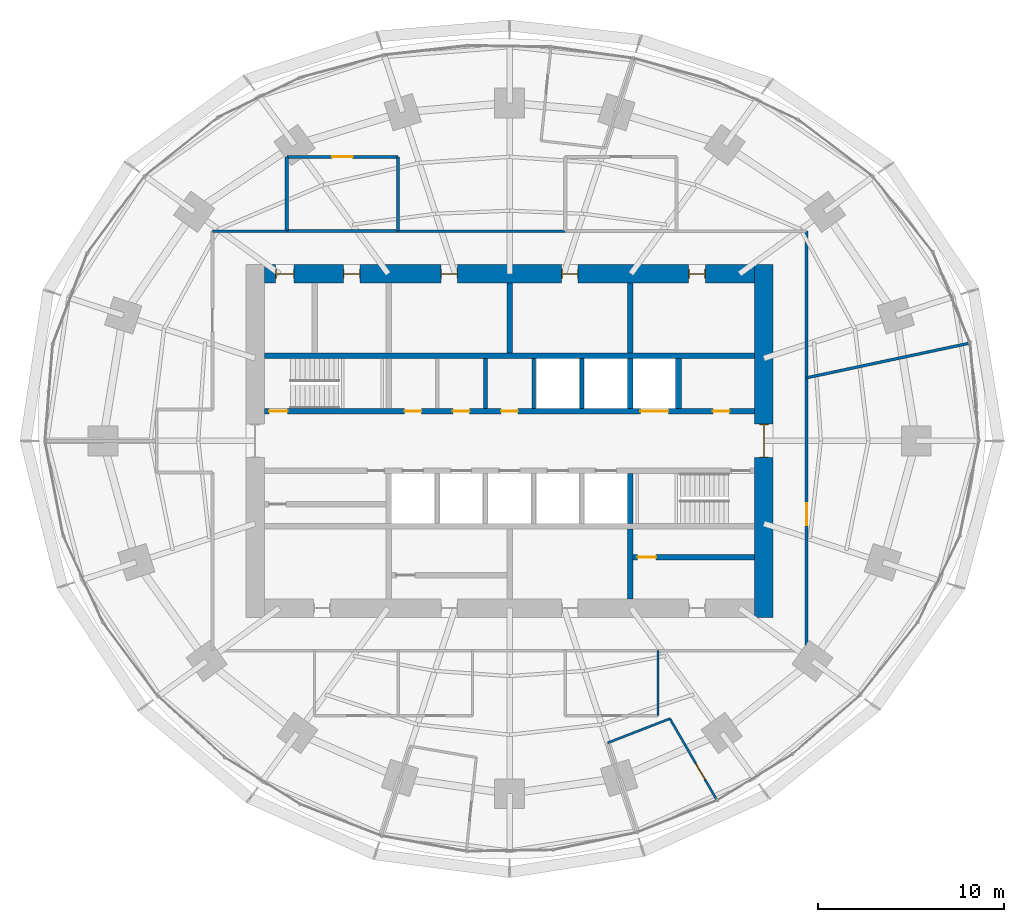
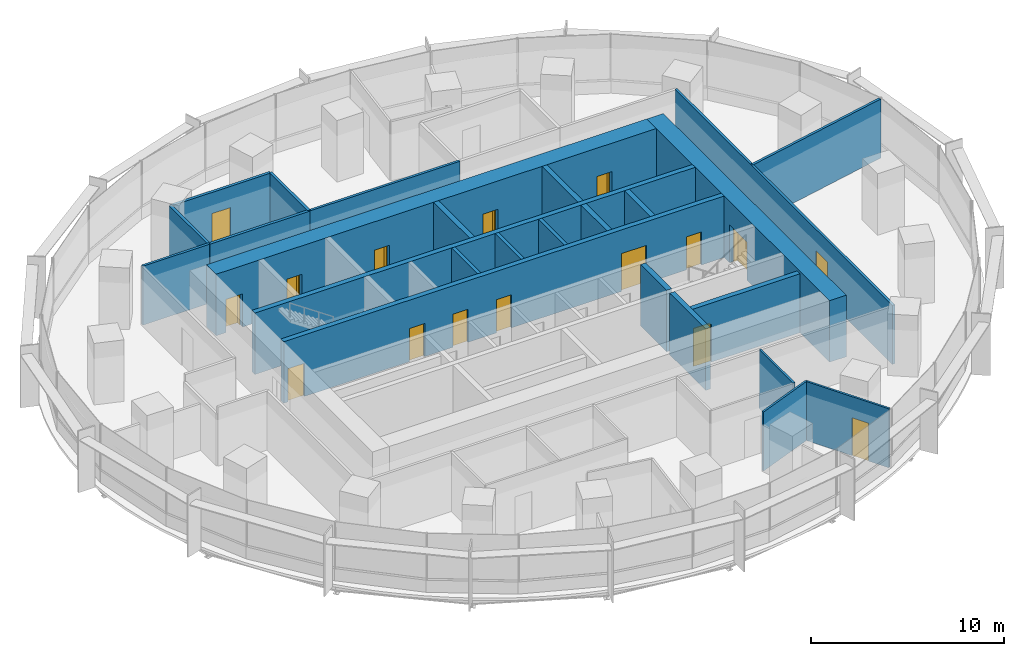
# One storey, part 11 of 14: 25 walls, 16 doors, 16 openings.
"""IFC4 building model written with IfcOpenShell, lengths in metres."""

from ifc_helpers import new_model, si_unit, direction, frame, frame_2d, origin, place, context, subcontext, project, spatial, rectangle, extrude, material, layer, layer_set, type_object, element, fill, save


model = new_model("IFC4")

# Units and contexts
model_context = context("Model", 3, precision=1e-05, world=origin(), true_north=direction((0.0, 1.0)))
body_context = subcontext(model_context, "Body", "Model", "MODEL_VIEW")
ifc_project = project(units=[si_unit("LENGTHUNIT", "METRE"), si_unit("AREAUNIT", "SQUARE_METRE"), si_unit("VOLUMEUNIT", "CUBIC_METRE"), si_unit("PLANEANGLEUNIT", "RADIAN"), si_unit("MASSUNIT", "GRAM", prefix="KILO")], contexts=[model_context])

# Site, building, storey
site_placement = place(None, origin())
site = spatial("IfcSite", under=ifc_project, at=site_placement, CompositionType="ELEMENT")
building_placement = place(site_placement, origin())
building = spatial("IfcBuilding", under=site, at=building_placement, Name="Marramba Exchange Tower", CompositionType="ELEMENT")
storey_placement = place(building_placement, frame((0.0, 0.0, 108.0)))
storey = spatial("IfcBuildingStorey", under=building, at=storey_placement, Name="L25", CompositionType="ELEMENT", Elevation=108.0)

# Wall
ifc_material_1 = material(Name="Plasterboard on staggered double steel studs, acoustic insulation", Category="steel")
ifc_layer_1 = layer(ifc_material_1, 0.169921875)
ifc_layer_set_1 = layer_set([ifc_layer_1], Name="Acoustic partition 170")
wall_type_1 = type_object("IfcWallType", Name="Acoustic partition 170", PredefinedType="PARTITIONING", material=ifc_layer_set_1)
wall_1_placement = place(storey_placement, frame((-6.0, 11.300048828125, 0.0), z_axis=(0.0, 0.0, 1.0), x_axis=(0.0, 1.0, 0.0)))
element("IfcWall", 1, at=wall_1_placement, inside=storey, type_object=wall_type_1, Name="Acoustic partition L25 28", PredefinedType="PARTITIONING", context=body_context, shape_type="SweptSolid", body=[
    extrude(rectangle(XDim=4.0, YDim=0.169921875, at=frame_2d((2.0, 0.0))), origin(), (0.0, 0.0, 1.0), 3.739990234375),
])

# Wall, opening, door
wall_2_placement = place(storey_placement, frame((-6.0, 15.300048828125, 0.0), z_axis=(0.0, 0.0, 1.0), x_axis=(-1.0, 0.0, 0.0)))
wall_2 = element("IfcWall", 2, at=wall_2_placement, inside=storey, type_object=wall_type_1, Name="Acoustic partition L25 29", PredefinedType="PARTITIONING", context=body_context, shape_type="SweptSolid", body=[
    extrude(rectangle(XDim=6.0, YDim=0.169921875, at=frame_2d((3.0, 0.0))), origin(), (0.0, 0.0, 1.0), 3.739990234375),
])
opening_1_placement = place(wall_2_placement, frame((2.449951171875, 0.0, 0.0)))
opening_1 = element("IfcOpeningElement", 3, at=opening_1_placement, cuts=wall_2, Name="Opening D15", PredefinedType="OPENING", context=body_context, shape_type="SweptSolid", body=[
    extrude(rectangle(XDim=1.10009765625, YDim=2.39990234375, at=frame_2d((0.550048828125, 1.199951171875))), frame((0.0, 0.094970703125, 0.0), z_axis=(0.0, -1.0, 0.0), x_axis=(1.0, 0.0, 0.0)), (0.0, 0.0, 1.0), 0.18994140625),
])
ifc_material_2 = material(Name="Timber door", Category="wood")
door_type_1 = type_object("IfcDoorType", Name="Glazed meeting room door 1100x2400", OperationType="SINGLE_SWING_LEFT", PredefinedType="DOOR", material=ifc_material_2)
door_1_placement = place(opening_1_placement, origin())
door_1 = element("IfcDoor", 4, at=door_1_placement, inside=storey, type_object=door_type_1, Name="D15 Meeting Room 2 L25", OperationType="SINGLE_SWING_RIGHT", OverallHeight=2.39990234375, OverallWidth=1.10009765625, PredefinedType="DOOR", context=body_context, shape_type="SweptSolid", body=[
    extrude(rectangle(XDim=1.10009765625, YDim=2.39990234375, at=frame_2d((0.550048828125, 1.199951171875))), frame((0.0, 0.02490234375, 0.0), z_axis=(0.0, -1.0, 0.0), x_axis=(1.0, 0.0, 0.0)), (0.0, 0.0, 1.0), 0.050048828125),
])
fill(opening_1, door_1)

# Walls
wall_3_placement = place(storey_placement, frame((-12.0, 11.300048828125, 0.0), z_axis=(0.0, 0.0, 1.0), x_axis=(1.0, 0.0, 0.0)))
element("IfcWall", 5, at=wall_3_placement, inside=storey, type_object=wall_type_1, Name="Acoustic partition L25 30", PredefinedType="PARTITIONING", context=body_context, shape_type="SweptSolid", body=[
    extrude(rectangle(XDim=6.0, YDim=0.169921875, at=frame_2d((3.0, 0.0))), origin(), (0.0, 0.0, 1.0), 3.739990234375),
])
wall_4_placement = place(storey_placement, frame((-12.0, 15.300048828125, 0.0), z_axis=(0.0, 0.0, 1.0), x_axis=(0.0, -1.0, 0.0)))
element("IfcWall", 6, at=wall_4_placement, inside=storey, type_object=wall_type_1, Name="Acoustic partition L25 31", PredefinedType="PARTITIONING", context=body_context, shape_type="SweptSolid", body=[
    extrude(rectangle(XDim=4.0, YDim=0.169921875, at=frame_2d((2.0, 0.0))), origin(), (0.0, 0.0, 1.0), 3.739990234375),
])
ifc_material_3 = material(Name="Concrete N50", Category="concrete")
ifc_layer_2 = layer(ifc_material_3, 0.199951171875)
ifc_layer_set_2 = layer_set([ifc_layer_2], Name="Core shaft wall 200")
wall_type_2 = type_object("IfcWallType", Name="Core shaft wall 200", PredefinedType="SHEAR", material=ifc_layer_set_2)
for number, where, z_axis, x_axis, name in (
    (7, (-1.300048828125, 1.75, 0.0), (0.0, 0.0, 1.0), (0.0, 1.0, 0.0), "Core wall SHN2 L25"),
    (8, (1.300048828125, 1.75, 0.0), (0.0, 0.0, 1.0), (0.0, 1.0, 0.0), "Core wall SHN3 L25"),
    (9, (3.89990234375, 1.75, 0.0), (0.0, 0.0, 1.0), (0.0, 1.0, 0.0), "Core wall SHN4 L25"),
):
    element("IfcWall", number, at=place(storey_placement, frame(where, z_axis=z_axis, x_axis=x_axis)), inside=storey, type_object=wall_type_2, Name=name, PredefinedType="SHEAR", context=body_context, shape_type="SweptSolid", body=[
        extrude(rectangle(XDim=2.699951171875, YDim=0.199951171875, at=frame_2d((1.35009765625, 0.0))), origin(), (0.0, 0.0, 1.0), 3.89990234375),
    ])

# Wall, openings, doors
ifc_layer_3 = layer(ifc_material_3, 1.0)
ifc_layer_set_3 = layer_set([ifc_layer_3], Name="Core wall 1000")
wall_type_3 = type_object("IfcWallType", Name="Core wall 1000", PredefinedType="SHEAR", material=ifc_layer_set_3)
wall_5_placement = place(storey_placement, frame((13.199951171875, 9.0, 0.0), z_axis=(0.0, 0.0, 1.0), x_axis=(-1.0, 0.0, 0.0)))
wall_5 = element("IfcWall", 10, at=wall_5_placement, inside=storey, type_object=wall_type_3, Name="Core wall N L25", PredefinedType="SHEAR", context=body_context, shape_type="SweptSolid", body=[
    extrude(rectangle(XDim=26.39990234375, YDim=1.0, at=frame_2d((13.199951171875, 0.0))), origin(), (0.0, 0.0, 1.0), 3.89990234375),
])
opening_2_placement = place(wall_5_placement, frame((2.64990234375, 0.0, 0.0)))
opening_2 = element("IfcOpeningElement", 11, at=opening_2_placement, cuts=wall_5, Name="Opening D5", PredefinedType="OPENING", context=body_context, shape_type="SweptSolid", body=[
    extrude(rectangle(XDim=0.89990234375, YDim=2.10009765625, at=frame_2d((0.449951171875, 1.050048828125))), frame((0.0, 0.510009765625, 0.0), z_axis=(0.0, -1.0, 0.0), x_axis=(1.0, 0.0, 0.0)), (0.0, 0.0, 1.0), 1.02001953125),
])
opening_3_placement = place(wall_5_placement, frame((9.5, 0.0, 0.0)))
opening_3 = element("IfcOpeningElement", 12, at=opening_3_placement, cuts=wall_5, Name="Opening D3", PredefinedType="OPENING", context=body_context, shape_type="SweptSolid", body=[
    extrude(rectangle(XDim=0.89990234375, YDim=2.10009765625, at=frame_2d((0.449951171875, 1.050048828125))), frame((0.0, 0.510009765625, 0.0), z_axis=(0.0, -1.0, 0.0), x_axis=(1.0, 0.0, 0.0)), (0.0, 0.0, 1.0), 1.02001953125),
])
opening_4_placement = place(wall_5_placement, frame((16.0, 0.0, 0.0)))
opening_4 = element("IfcOpeningElement", 13, at=opening_4_placement, cuts=wall_5, Name="Opening D3", PredefinedType="OPENING", context=body_context, shape_type="SweptSolid", body=[
    extrude(rectangle(XDim=0.89990234375, YDim=2.10009765625, at=frame_2d((0.449951171875, 1.050048828125))), frame((0.0, 0.510009765625, 0.0), z_axis=(0.0, -1.0, 0.0), x_axis=(1.0, 0.0, 0.0)), (0.0, 0.0, 1.0), 1.02001953125),
])
opening_5_placement = place(wall_5_placement, frame((21.25, 0.0, 0.0)))
opening_5 = element("IfcOpeningElement", 14, at=opening_5_placement, cuts=wall_5, Name="Opening D5", PredefinedType="OPENING", context=body_context, shape_type="SweptSolid", body=[
    extrude(rectangle(XDim=0.89990234375, YDim=2.10009765625, at=frame_2d((0.449951171875, 1.050048828125))), frame((0.0, 0.510009765625, 0.0), z_axis=(0.0, -1.0, 0.0), x_axis=(1.0, 0.0, 0.0)), (0.0, 0.0, 1.0), 1.02001953125),
])
opening_6_placement = place(wall_5_placement, frame((24.800048828125, 0.0, 0.0)))
opening_6 = element("IfcOpeningElement", 15, at=opening_6_placement, cuts=wall_5, Name="Opening D4", PredefinedType="OPENING", context=body_context, shape_type="SweptSolid", body=[
    extrude(rectangle(XDim=1.0, YDim=2.10009765625, at=frame_2d((0.5, 1.050048828125))), frame((0.0, 0.510009765625, 0.0), z_axis=(0.0, -1.0, 0.0), x_axis=(1.0, 0.0, 0.0)), (0.0, 0.0, 1.0), 1.02001953125),
])
ifc_material_4 = material(Name="Steel-framed door", Category="steel")
door_type_2 = type_object("IfcDoorType", Name="Accessible toilet door 1000x2100", OperationType="SINGLE_SWING_LEFT", PredefinedType="DOOR", material=ifc_material_4)
door_2_placement = place(opening_6_placement, origin())
door_2 = element("IfcDoor", 16, at=door_2_placement, inside=storey, type_object=door_type_2, Name="D4 awc L25", OperationType="SINGLE_SWING_RIGHT", OverallHeight=2.10009765625, OverallWidth=1.0, PredefinedType="DOOR", context=body_context, shape_type="SweptSolid", body=[
    extrude(rectangle(XDim=0.919921875, YDim=2.06005859375, at=frame_2d((0.5, 1.030029296875))), frame((0.0, 0.02490234375, 0.0), z_axis=(0.0, -1.0, 0.0), x_axis=(1.0, 0.0, 0.0)), (0.0, 0.0, 1.0), 0.050048828125),
    extrude(rectangle(XDim=0.04, YDim=2.10009765625, at=frame_2d((0.02001953125, 1.050048828125))), frame((0.0, 0.25, 0.0), z_axis=(0.0, -1.0, 0.0), x_axis=(1.0, 0.0, 0.0)), (0.0, 0.0, 1.0), 0.5),
    extrude(rectangle(XDim=0.04, YDim=2.10009765625, at=frame_2d((0.97998046875, 1.050048828125))), frame((0.0, 0.25, 0.0), z_axis=(0.0, -1.0, 0.0), x_axis=(1.0, 0.0, 0.0)), (0.0, 0.0, 1.0), 0.5),
    extrude(rectangle(XDim=0.919921875, YDim=0.04, at=frame_2d((0.5, 2.080078125))), frame((0.0, 0.25, 0.0), z_axis=(0.0, -1.0, 0.0), x_axis=(1.0, 0.0, 0.0)), (0.0, 0.0, 1.0), 0.5),
])
fill(opening_6, door_2)
door_type_3 = type_object("IfcDoorType", Name="Service door 900x2100", OperationType="SINGLE_SWING_LEFT", PredefinedType="DOOR", material=ifc_material_4)
door_3_placement = place(opening_2_placement, origin())
door_3 = element("IfcDoor", 17, at=door_3_placement, inside=storey, type_object=door_type_3, Name="D5 comms L25", OperationType="SINGLE_SWING_LEFT", OverallHeight=2.10009765625, OverallWidth=0.89990234375, PredefinedType="DOOR", context=body_context, shape_type="SweptSolid", body=[
    extrude(rectangle(XDim=0.81982421875, YDim=2.06005859375, at=frame_2d((0.449951171875, 1.030029296875))), frame((0.0, 0.02490234375, 0.0), z_axis=(0.0, -1.0, 0.0), x_axis=(1.0, 0.0, 0.0)), (0.0, 0.0, 1.0), 0.050048828125),
    extrude(rectangle(XDim=0.04, YDim=2.10009765625, at=frame_2d((0.02001953125, 1.050048828125))), frame((0.0, 0.25, 0.0), z_axis=(0.0, -1.0, 0.0), x_axis=(1.0, 0.0, 0.0)), (0.0, 0.0, 1.0), 0.5),
    extrude(rectangle(XDim=0.04, YDim=2.10009765625, at=frame_2d((0.8798828125, 1.050048828125))), frame((0.0, 0.25, 0.0), z_axis=(0.0, -1.0, 0.0), x_axis=(1.0, 0.0, 0.0)), (0.0, 0.0, 1.0), 0.5),
    extrude(rectangle(XDim=0.81982421875, YDim=0.04, at=frame_2d((0.449951171875, 2.080078125))), frame((0.0, 0.25, 0.0), z_axis=(0.0, -1.0, 0.0), x_axis=(1.0, 0.0, 0.0)), (0.0, 0.0, 1.0), 0.5),
])
fill(opening_2, door_3)
door_4_placement = place(opening_5_placement, origin())
door_4 = element("IfcDoor", 18, at=door_4_placement, inside=storey, type_object=door_type_3, Name="D5 cleaner L25", OperationType="SINGLE_SWING_RIGHT", OverallHeight=2.10009765625, OverallWidth=0.89990234375, PredefinedType="DOOR", context=body_context, shape_type="SweptSolid", body=[
    extrude(rectangle(XDim=0.81982421875, YDim=2.06005859375, at=frame_2d((0.449951171875, 1.030029296875))), frame((0.0, 0.02490234375, 0.0), z_axis=(0.0, -1.0, 0.0), x_axis=(1.0, 0.0, 0.0)), (0.0, 0.0, 1.0), 0.050048828125),
    extrude(rectangle(XDim=0.04, YDim=2.10009765625, at=frame_2d((0.02001953125, 1.050048828125))), frame((0.0, 0.25, 0.0), z_axis=(0.0, -1.0, 0.0), x_axis=(1.0, 0.0, 0.0)), (0.0, 0.0, 1.0), 0.5),
    extrude(rectangle(XDim=0.04, YDim=2.10009765625, at=frame_2d((0.8798828125, 1.050048828125))), frame((0.0, 0.25, 0.0), z_axis=(0.0, -1.0, 0.0), x_axis=(1.0, 0.0, 0.0)), (0.0, 0.0, 1.0), 0.5),
    extrude(rectangle(XDim=0.81982421875, YDim=0.04, at=frame_2d((0.449951171875, 2.080078125))), frame((0.0, 0.25, 0.0), z_axis=(0.0, -1.0, 0.0), x_axis=(1.0, 0.0, 0.0)), (0.0, 0.0, 1.0), 0.5),
])
fill(opening_5, door_4)
door_type_4 = type_object("IfcDoorType", Name="Toilet door 900x2100", OperationType="SINGLE_SWING_LEFT", PredefinedType="DOOR", material=ifc_material_4)
door_5_placement = place(opening_3_placement, origin())
door_5 = element("IfcDoor", 19, at=door_5_placement, inside=storey, type_object=door_type_4, Name="D3 wc-f L25", OperationType="SINGLE_SWING_RIGHT", OverallHeight=2.10009765625, OverallWidth=0.89990234375, PredefinedType="DOOR", context=body_context, shape_type="SweptSolid", body=[
    extrude(rectangle(XDim=0.81982421875, YDim=2.06005859375, at=frame_2d((0.449951171875, 1.030029296875))), frame((0.0, 0.02490234375, 0.0), z_axis=(0.0, -1.0, 0.0), x_axis=(1.0, 0.0, 0.0)), (0.0, 0.0, 1.0), 0.050048828125),
    extrude(rectangle(XDim=0.04, YDim=2.10009765625, at=frame_2d((0.02001953125, 1.050048828125))), frame((0.0, 0.25, 0.0), z_axis=(0.0, -1.0, 0.0), x_axis=(1.0, 0.0, 0.0)), (0.0, 0.0, 1.0), 0.5),
    extrude(rectangle(XDim=0.04, YDim=2.10009765625, at=frame_2d((0.8798828125, 1.050048828125))), frame((0.0, 0.25, 0.0), z_axis=(0.0, -1.0, 0.0), x_axis=(1.0, 0.0, 0.0)), (0.0, 0.0, 1.0), 0.5),
    extrude(rectangle(XDim=0.81982421875, YDim=0.04, at=frame_2d((0.449951171875, 2.080078125))), frame((0.0, 0.25, 0.0), z_axis=(0.0, -1.0, 0.0), x_axis=(1.0, 0.0, 0.0)), (0.0, 0.0, 1.0), 0.5),
])
fill(opening_3, door_5)
door_6_placement = place(opening_4_placement, origin())
door_6 = element("IfcDoor", 20, at=door_6_placement, inside=storey, type_object=door_type_4, Name="D3 wc-m L25", OperationType="SINGLE_SWING_RIGHT", OverallHeight=2.10009765625, OverallWidth=0.89990234375, PredefinedType="DOOR", context=body_context, shape_type="SweptSolid", body=[
    extrude(rectangle(XDim=0.81982421875, YDim=2.06005859375, at=frame_2d((0.449951171875, 1.030029296875))), frame((0.0, 0.02490234375, 0.0), z_axis=(0.0, -1.0, 0.0), x_axis=(1.0, 0.0, 0.0)), (0.0, 0.0, 1.0), 0.050048828125),
    extrude(rectangle(XDim=0.04, YDim=2.10009765625, at=frame_2d((0.02001953125, 1.050048828125))), frame((0.0, 0.25, 0.0), z_axis=(0.0, -1.0, 0.0), x_axis=(1.0, 0.0, 0.0)), (0.0, 0.0, 1.0), 0.5),
    extrude(rectangle(XDim=0.04, YDim=2.10009765625, at=frame_2d((0.8798828125, 1.050048828125))), frame((0.0, 0.25, 0.0), z_axis=(0.0, -1.0, 0.0), x_axis=(1.0, 0.0, 0.0)), (0.0, 0.0, 1.0), 0.5),
    extrude(rectangle(XDim=0.81982421875, YDim=0.04, at=frame_2d((0.449951171875, 2.080078125))), frame((0.0, 0.25, 0.0), z_axis=(0.0, -1.0, 0.0), x_axis=(1.0, 0.0, 0.0)), (0.0, 0.0, 1.0), 0.5),
])
fill(opening_4, door_6)

# Wall, opening, door
wall_6_placement = place(storey_placement, frame((13.699951171875, -9.5, 0.0), z_axis=(0.0, 0.0, 1.0), x_axis=(0.0, 1.0, 0.0)))
wall_6 = element("IfcWall", 21, at=wall_6_placement, inside=storey, type_object=wall_type_3, Name="Core wall E L25", PredefinedType="SHEAR", context=body_context, shape_type="SweptSolid", body=[
    extrude(rectangle(XDim=19.0, YDim=1.0, at=frame_2d((9.5, 0.0))), origin(), (0.0, 0.0, 1.0), 3.89990234375),
])
opening_7_placement = place(wall_6_placement, frame((8.60009765625, 0.0, 0.0)))
opening_7 = element("IfcOpeningElement", 22, at=opening_7_placement, cuts=wall_6, Name="Opening D1", PredefinedType="OPENING", context=body_context, shape_type="SweptSolid", body=[
    extrude(rectangle(XDim=1.800048828125, YDim=2.39990234375, at=frame_2d((0.89990234375, 1.199951171875))), frame((0.0, 0.510009765625, 0.0), z_axis=(0.0, -1.0, 0.0), x_axis=(1.0, 0.0, 0.0)), (0.0, 0.0, 1.0), 1.02001953125),
])
door_type_5 = type_object("IfcDoorType", Name="Lobby exit door 1800x2400", OperationType="DOUBLE_DOOR_SINGLE_SWING", PredefinedType="DOOR", material=ifc_material_4)
door_7_placement = place(opening_7_placement, origin())
door_7 = element("IfcDoor", 23, at=door_7_placement, inside=storey, type_object=door_type_5, Name="D1 lobby exit east L25", OperationType="DOUBLE_DOOR_SINGLE_SWING", OverallHeight=2.39990234375, OverallWidth=1.800048828125, PredefinedType="DOOR", context=body_context, shape_type="SweptSolid", body=[
    extrude(rectangle(XDim=1.719970703125, YDim=2.35986328125, at=frame_2d((0.89990234375, 1.179931640625))), frame((0.0, 0.02490234375, 0.0), z_axis=(0.0, -1.0, 0.0), x_axis=(1.0, 0.0, 0.0)), (0.0, 0.0, 1.0), 0.050048828125),
    extrude(rectangle(XDim=0.04, YDim=2.39990234375, at=frame_2d((0.02001953125, 1.199951171875))), frame((0.0, 0.25, 0.0), z_axis=(0.0, -1.0, 0.0), x_axis=(1.0, 0.0, 0.0)), (0.0, 0.0, 1.0), 0.5),
    extrude(rectangle(XDim=0.04, YDim=2.39990234375, at=frame_2d((1.780029296875, 1.199951171875))), frame((0.0, 0.25, 0.0), z_axis=(0.0, -1.0, 0.0), x_axis=(1.0, 0.0, 0.0)), (0.0, 0.0, 1.0), 0.5),
    extrude(rectangle(XDim=1.719970703125, YDim=0.04, at=frame_2d((0.89990234375, 2.3798828125))), frame((0.0, 0.25, 0.0), z_axis=(0.0, -1.0, 0.0), x_axis=(1.0, 0.0, 0.0)), (0.0, 0.0, 1.0), 0.5),
])
fill(opening_7, door_7)

# Wall, openings, doors
ifc_layer_4 = layer(ifc_material_3, 0.300048828125)
ifc_layer_set_4 = layer_set([ifc_layer_4], Name="Core wall 300")
wall_type_4 = type_object("IfcWallType", Name="Core wall 300", PredefinedType="SHEAR", material=ifc_layer_set_4)
wall_7_placement = place(storey_placement, frame((-13.199951171875, 1.60009765625, 0.0), z_axis=(0.0, 0.0, 1.0), x_axis=(1.0, 0.0, 0.0)))
wall_7 = element("IfcWall", 24, at=wall_7_placement, inside=storey, type_object=wall_type_4, Name="Core wall LN L25", PredefinedType="SHEAR", context=body_context, shape_type="SweptSolid", body=[
    extrude(rectangle(XDim=26.39990234375, YDim=0.300048828125, at=frame_2d((13.199951171875, 0.0))), origin(), (0.0, 0.0, 1.0), 3.89990234375),
])
opening_8_placement = place(wall_7_placement, frame((0.25, 0.0, 0.0)))
opening_8 = element("IfcOpeningElement", 25, at=opening_8_placement, cuts=wall_7, Name="Opening D2", PredefinedType="OPENING", context=body_context, shape_type="SweptSolid", body=[
    extrude(rectangle(XDim=1.0, YDim=2.10009765625, at=frame_2d((0.5, 1.050048828125))), frame((0.0, 0.159912109375, 0.0), z_axis=(0.0, -1.0, 0.0), x_axis=(1.0, 0.0, 0.0)), (0.0, 0.0, 1.0), 0.320068359375),
])
opening_9_placement = place(wall_7_placement, frame((20.25, 0.0, 0.0)))
opening_9 = element("IfcOpeningElement", 26, at=opening_9_placement, cuts=wall_7, Name="Opening LD3", PredefinedType="OPENING", context=body_context, shape_type="SweptSolid", body=[
    extrude(rectangle(XDim=1.5, YDim=2.39990234375, at=frame_2d((0.75, 1.199951171875))), frame((0.0, 0.159912109375, 0.0), z_axis=(0.0, -1.0, 0.0), x_axis=(1.0, 0.0, 0.0)), (0.0, 0.0, 1.0), 0.320068359375),
])
opening_10_placement = place(wall_7_placement, frame((7.550048828125, 0.0, 0.0)))
opening_10 = element("IfcOpeningElement", 27, at=opening_10_placement, cuts=wall_7, Name="Opening D5", PredefinedType="OPENING", context=body_context, shape_type="SweptSolid", body=[
    extrude(rectangle(XDim=0.89990234375, YDim=2.10009765625, at=frame_2d((0.449951171875, 1.050048828125))), frame((0.0, 0.159912109375, 0.0), z_axis=(0.0, -1.0, 0.0), x_axis=(1.0, 0.0, 0.0)), (0.0, 0.0, 1.0), 0.320068359375),
])
opening_11_placement = place(wall_7_placement, frame((10.14990234375, 0.0, 0.0)))
opening_11 = element("IfcOpeningElement", 28, at=opening_11_placement, cuts=wall_7, Name="Opening D5", PredefinedType="OPENING", context=body_context, shape_type="SweptSolid", body=[
    extrude(rectangle(XDim=0.89990234375, YDim=2.10009765625, at=frame_2d((0.449951171875, 1.050048828125))), frame((0.0, 0.159912109375, 0.0), z_axis=(0.0, -1.0, 0.0), x_axis=(1.0, 0.0, 0.0)), (0.0, 0.0, 1.0), 0.320068359375),
])
opening_12_placement = place(wall_7_placement, frame((12.75, 0.0, 0.0)))
opening_12 = element("IfcOpeningElement", 29, at=opening_12_placement, cuts=wall_7, Name="Opening D5", PredefinedType="OPENING", context=body_context, shape_type="SweptSolid", body=[
    extrude(rectangle(XDim=0.89990234375, YDim=2.10009765625, at=frame_2d((0.449951171875, 1.050048828125))), frame((0.0, 0.159912109375, 0.0), z_axis=(0.0, -1.0, 0.0), x_axis=(1.0, 0.0, 0.0)), (0.0, 0.0, 1.0), 0.320068359375),
])
opening_13_placement = place(wall_7_placement, frame((24.14990234375, 0.0, 0.0)))
opening_13 = element("IfcOpeningElement", 30, at=opening_13_placement, cuts=wall_7, Name="Opening D5", PredefinedType="OPENING", context=body_context, shape_type="SweptSolid", body=[
    extrude(rectangle(XDim=0.89990234375, YDim=2.10009765625, at=frame_2d((0.449951171875, 1.050048828125))), frame((0.0, 0.159912109375, 0.0), z_axis=(0.0, -1.0, 0.0), x_axis=(1.0, 0.0, 0.0)), (0.0, 0.0, 1.0), 0.320068359375),
])
door_type_6 = type_object("IfcDoorType", Name="Goods lift landing door 1500x2400", OperationType="SLIDING_TO_LEFT", PredefinedType="DOOR", material=ifc_material_4)
door_8_placement = place(opening_9_placement, origin())
door_8 = element("IfcDoor", 31, at=door_8_placement, inside=storey, type_object=door_type_6, Name="GL1 landing door L25", OperationType="SLIDING_TO_LEFT", OverallHeight=2.39990234375, OverallWidth=1.5, PredefinedType="DOOR", context=body_context, shape_type="SweptSolid", body=[
    extrude(rectangle(XDim=1.5, YDim=2.39990234375, at=frame_2d((0.75, 1.199951171875))), frame((0.0, 0.02490234375, 0.0), z_axis=(0.0, -1.0, 0.0), x_axis=(1.0, 0.0, 0.0)), (0.0, 0.0, 1.0), 0.050048828125),
])
fill(opening_9, door_8)
door_9_placement = place(opening_10_placement, origin())
door_9 = element("IfcDoor", 32, at=door_9_placement, inside=storey, type_object=door_type_3, Name="D5 switch room L25", OperationType="SINGLE_SWING_RIGHT", OverallHeight=2.10009765625, OverallWidth=0.89990234375, PredefinedType="DOOR", context=body_context, shape_type="SweptSolid", body=[
    extrude(rectangle(XDim=0.89990234375, YDim=2.10009765625, at=frame_2d((0.449951171875, 1.050048828125))), frame((0.0, 0.02490234375, 0.0), z_axis=(0.0, -1.0, 0.0), x_axis=(1.0, 0.0, 0.0)), (0.0, 0.0, 1.0), 0.050048828125),
])
fill(opening_10, door_9)
door_10_placement = place(opening_11_placement, origin())
door_10 = element("IfcDoor", 33, at=door_10_placement, inside=storey, type_object=door_type_3, Name="D5 cleaner store L25", OperationType="SINGLE_SWING_RIGHT", OverallHeight=2.10009765625, OverallWidth=0.89990234375, PredefinedType="DOOR", context=body_context, shape_type="SweptSolid", body=[
    extrude(rectangle(XDim=0.89990234375, YDim=2.10009765625, at=frame_2d((0.449951171875, 1.050048828125))), frame((0.0, 0.02490234375, 0.0), z_axis=(0.0, -1.0, 0.0), x_axis=(1.0, 0.0, 0.0)), (0.0, 0.0, 1.0), 0.050048828125),
])
fill(opening_11, door_10)
door_11_placement = place(opening_12_placement, origin())
door_11 = element("IfcDoor", 34, at=door_11_placement, inside=storey, type_object=door_type_3, Name="D5 general store L25", OperationType="SINGLE_SWING_RIGHT", OverallHeight=2.10009765625, OverallWidth=0.89990234375, PredefinedType="DOOR", context=body_context, shape_type="SweptSolid", body=[
    extrude(rectangle(XDim=0.89990234375, YDim=2.10009765625, at=frame_2d((0.449951171875, 1.050048828125))), frame((0.0, 0.02490234375, 0.0), z_axis=(0.0, -1.0, 0.0), x_axis=(1.0, 0.0, 0.0)), (0.0, 0.0, 1.0), 0.050048828125),
])
fill(opening_12, door_11)
door_12_placement = place(opening_13_placement, origin())
door_12 = element("IfcDoor", 35, at=door_12_placement, inside=storey, type_object=door_type_3, Name="D5 riser L25", OperationType="SINGLE_SWING_RIGHT", OverallHeight=2.10009765625, OverallWidth=0.89990234375, PredefinedType="DOOR", context=body_context, shape_type="SweptSolid", body=[
    extrude(rectangle(XDim=0.89990234375, YDim=2.10009765625, at=frame_2d((0.449951171875, 1.050048828125))), frame((0.0, 0.02490234375, 0.0), z_axis=(0.0, -1.0, 0.0), x_axis=(1.0, 0.0, 0.0)), (0.0, 0.0, 1.0), 0.050048828125),
])
fill(opening_13, door_12)
door_type_7 = type_object("IfcDoorType", Name="Stair door 1000x2100", OperationType="SINGLE_SWING_LEFT", PredefinedType="DOOR", material=ifc_material_4)
door_13_placement = place(opening_8_placement, origin())
door_13 = element("IfcDoor", 36, at=door_13_placement, inside=storey, type_object=door_type_7, Name="D2 stair ST1 L25", OperationType="SINGLE_SWING_LEFT", OverallHeight=2.10009765625, OverallWidth=1.0, PredefinedType="DOOR", context=body_context, shape_type="SweptSolid", body=[
    extrude(rectangle(XDim=1.0, YDim=2.10009765625, at=frame_2d((0.5, 1.050048828125))), frame((0.0, 0.02490234375, 0.0), z_axis=(0.0, -1.0, 0.0), x_axis=(1.0, 0.0, 0.0)), (0.0, 0.0, 1.0), 0.050048828125),
])
fill(opening_8, door_13)

# Walls
wall_8_placement = place(storey_placement, frame((-13.199951171875, 4.60009765625, 0.0), z_axis=(0.0, 0.0, 1.0), x_axis=(1.0, 0.0, 0.0)))
element("IfcWall", 37, at=wall_8_placement, inside=storey, type_object=wall_type_4, Name="Core wall BN L25", PredefinedType="SHEAR", context=body_context, shape_type="SweptSolid", body=[
    extrude(rectangle(XDim=26.39990234375, YDim=0.300048828125, at=frame_2d((13.199951171875, 0.0))), origin(), (0.0, 0.0, 1.0), 3.89990234375),
])
wall_9_placement = place(storey_placement, frame((6.5, 1.75, 0.0), z_axis=(0.0, 0.0, 1.0), x_axis=(0.0, 1.0, 0.0)))
element("IfcWall", 38, at=wall_9_placement, inside=storey, type_object=wall_type_4, Name="Core wall X1Na L25", PredefinedType="SHEAR", context=body_context, shape_type="SweptSolid", body=[
    extrude(rectangle(XDim=2.699951171875, YDim=0.300048828125, at=frame_2d((1.35009765625, 0.0))), origin(), (0.0, 0.0, 1.0), 3.89990234375),
])
for number, where, z_axis, x_axis, name in (
    (39, (6.5, 4.75, 0.0), (0.0, 0.0, 1.0), (0.0, 1.0, 0.0), "Core wall X1Nb L25"),
    (40, (0.0, 4.75, 0.0), (0.0, 0.0, 1.0), (0.0, 1.0, 0.0), "Core wall MN L25"),
):
    element("IfcWall", number, at=place(storey_placement, frame(where, z_axis=z_axis, x_axis=x_axis)), inside=storey, type_object=wall_type_4, Name=name, PredefinedType="SHEAR", context=body_context, shape_type="SweptSolid", body=[
        extrude(rectangle(XDim=3.75, YDim=0.300048828125, at=frame_2d((1.875, 0.0))), origin(), (0.0, 0.0, 1.0), 3.89990234375),
    ])
wall_10_placement = place(storey_placement, frame((6.5, -1.75, 0.0), z_axis=(0.0, 0.0, 1.0), x_axis=(0.0, -1.0, 0.0)))
element("IfcWall", 41, at=wall_10_placement, inside=storey, type_object=wall_type_4, Name="Core wall X1Sa L25", PredefinedType="SHEAR", context=body_context, shape_type="SweptSolid", body=[
    extrude(rectangle(XDim=2.699951171875, YDim=0.300048828125, at=frame_2d((1.35009765625, 0.0))), origin(), (0.0, 0.0, 1.0), 3.89990234375),
])
wall_11_placement = place(storey_placement, frame((6.5, -4.75, 0.0), z_axis=(0.0, 0.0, 1.0), x_axis=(0.0, -1.0, 0.0)))
element("IfcWall", 42, at=wall_11_placement, inside=storey, type_object=wall_type_4, Name="Core wall X1Sb L25", PredefinedType="SHEAR", context=body_context, shape_type="SweptSolid", body=[
    extrude(rectangle(XDim=3.75, YDim=0.300048828125, at=frame_2d((1.875, 0.0))), origin(), (0.0, 0.0, 1.0), 3.89990234375),
])
wall_12_placement = place(storey_placement, frame((9.10009765625, 1.75, 0.0), z_axis=(0.0, 0.0, 1.0), x_axis=(0.0, 1.0, 0.0)))
element("IfcWall", 43, at=wall_12_placement, inside=storey, type_object=wall_type_4, Name="Core wall ED L25", PredefinedType="SHEAR", context=body_context, shape_type="SweptSolid", body=[
    extrude(rectangle(XDim=2.699951171875, YDim=0.300048828125, at=frame_2d((1.35009765625, 0.0))), origin(), (0.0, 0.0, 1.0), 3.89990234375),
])
ifc_material_5 = material(Name="Plasterboard on steel studs", Category="steel")
ifc_layer_5 = layer(ifc_material_5, 0.1201171875)
ifc_layer_set_5 = layer_set([ifc_layer_5], Name="Partition 120")
wall_type_5 = type_object("IfcWallType", Name="Partition 120", PredefinedType="PARTITIONING", material=ifc_layer_set_5)
wall_13_placement = place(storey_placement, frame((8.63671875, -14.958984375, 0.0), z_axis=(0.0, 0.0, 1.0), x_axis=(-0.932196869483, -0.361951649432, 0.0)))
element("IfcWall", 44, at=wall_13_placement, inside=storey, type_object=wall_type_5, Name="Partition L25 14", PredefinedType="PARTITIONING", context=body_context, shape_type="SweptSolid", body=[
    extrude(rectangle(XDim=3.59716796875, YDim=0.1201171875, at=frame_2d((1.798583984375, 0.0))), origin(), (0.0, 0.0, 1.0), 3.739990234375),
])

# Wall, opening, door
wall_14_placement = place(storey_placement, frame((11.13671875, -19.289306640625, 0.0), z_axis=(0.0, 0.0, 1.0), x_axis=(-0.499983091616, 0.866035165624, 0.0)))
wall_14 = element("IfcWall", 45, at=wall_14_placement, inside=storey, type_object=wall_type_5, Name="Partition L25 15", PredefinedType="PARTITIONING", context=body_context, shape_type="SweptSolid", body=[
    extrude(rectangle(XDim=5.000244140625, YDim=0.1201171875, at=frame_2d((2.5, 0.0))), origin(), (0.0, 0.0, 1.0), 3.739990234375),
])
opening_14_placement = place(wall_14_placement, frame((1.212890625, 0.0, 0.0)))
opening_14 = element("IfcOpeningElement", 46, at=opening_14_placement, cuts=wall_14, Name="Opening D9", PredefinedType="OPENING", context=body_context, shape_type="SweptSolid", body=[
    extrude(rectangle(XDim=1.0, YDim=2.39990234375, at=frame_2d((0.5, 1.199951171875))), frame((0.0, 0.070068359375, 0.0), z_axis=(0.0, -1.0, 0.0), x_axis=(1.0, 0.0, 0.0)), (0.0, 0.0, 1.0), 0.14013671875),
])
door_type_8 = type_object("IfcDoorType", Name="Room door 1000x2400", OperationType="SINGLE_SWING_LEFT", PredefinedType="DOOR", material=ifc_material_2)
door_14_placement = place(opening_14_placement, origin())
door_14 = element("IfcDoor", 47, at=door_14_placement, inside=storey, type_object=door_type_8, Name="D9 Office 1 L25", OperationType="SINGLE_SWING_LEFT", OverallHeight=2.39990234375, OverallWidth=1.0, PredefinedType="DOOR", context=body_context, shape_type="SweptSolid", body=[
    extrude(rectangle(XDim=1.0, YDim=2.39990234375, at=frame_2d((0.5, 1.199951171875))), frame((0.0, 0.02490234375, 0.0), z_axis=(0.0, -1.0, 0.0), x_axis=(1.0, 0.0, 0.0)), (0.0, 0.0, 1.0), 0.050048828125),
])
fill(opening_14, door_14)

# Wall
wall_15_placement = place(storey_placement, frame((8.0, -14.800048828125, 0.0), z_axis=(0.0, 0.0, 1.0), x_axis=(0.0, 1.0, 0.0)))
element("IfcWall", 48, at=wall_15_placement, inside=storey, type_object=wall_type_5, Name="Partition L25 16", PredefinedType="PARTITIONING", context=body_context, shape_type="SweptSolid", body=[
    extrude(rectangle(XDim=3.5, YDim=0.1201171875, at=frame_2d((1.75, 0.0))), origin(), (0.0, 0.0, 1.0), 3.739990234375),
])

# Wall, opening, door
ifc_material_6 = material(Name="Plasterboard on steel studs, insulated, unrated", Category="steel")
ifc_layer_6 = layer(ifc_material_6, 0.300048828125)
ifc_layer_set_6 = layer_set([ifc_layer_6], Name="Store partition 300")
wall_type_6 = type_object("IfcWallType", Name="Store partition 300", PredefinedType="PARTITIONING", material=ifc_layer_set_6)
wall_16_placement = place(storey_placement, frame((6.64990234375, -6.27197265625, 0.0), z_axis=(0.0, 0.0, 1.0), x_axis=(1.0, 0.0, 0.0)))
wall_16 = element("IfcWall", 49, at=wall_16_placement, inside=storey, type_object=wall_type_6, Name="Store partition L25 cstore", PredefinedType="PARTITIONING", context=body_context, shape_type="SweptSolid", body=[
    extrude(rectangle(XDim=6.550048828125, YDim=0.300048828125, at=frame_2d((3.27490234375, 0.0))), origin(), (0.0, 0.0, 1.0), 3.739990234375),
])
opening_15_placement = place(wall_16_placement, frame((0.25, 0.0, 0.0)))
opening_15 = element("IfcOpeningElement", 50, at=opening_15_placement, cuts=wall_16, Name="Opening D9", PredefinedType="OPENING", context=body_context, shape_type="SweptSolid", body=[
    extrude(rectangle(XDim=1.0, YDim=2.39990234375, at=frame_2d((0.5, 1.199951171875))), frame((0.0, 0.159912109375, 0.0), z_axis=(0.0, -1.0, 0.0), x_axis=(1.0, 0.0, 0.0)), (0.0, 0.0, 1.0), 0.320068359375),
])
door_15_placement = place(opening_15_placement, origin())
door_15 = element("IfcDoor", 51, at=door_15_placement, inside=storey, type_object=door_type_8, Name="D9 general store L25", OperationType="SINGLE_SWING_LEFT", OverallHeight=2.39990234375, OverallWidth=1.0, PredefinedType="DOOR", context=body_context, shape_type="SweptSolid", body=[
    extrude(rectangle(XDim=1.0, YDim=2.39990234375, at=frame_2d((0.5, 1.199951171875))), frame((0.0, 0.02490234375, 0.0), z_axis=(0.0, -1.0, 0.0), x_axis=(1.0, 0.0, 0.0)), (0.0, 0.0, 1.0), 0.050048828125),
])
fill(opening_15, door_15)

ifc_material_7 = material(Name="Fire-rated plasterboard on steel studs, acoustic insulation", Category="steel")
ifc_layer_7 = layer(ifc_material_7, 0.14990234375)
ifc_layer_set_7 = layer_set([ifc_layer_7], Name="Tenancy wall 150")
wall_type_7 = type_object("IfcWallType", Name="Tenancy wall 150", PredefinedType="PARTITIONING", material=ifc_layer_set_7)
wall_17_placement = place(storey_placement, frame((16.0, -11.300048828125, 0.0), z_axis=(0.0, 0.0, 1.0), x_axis=(0.0, 1.0, 0.0)))
wall_17 = element("IfcWall", 52, at=wall_17_placement, inside=storey, type_object=wall_type_7, Name="Tenancy wall L25 17", PredefinedType="PARTITIONING", context=body_context, shape_type="SweptSolid", body=[
    extrude(rectangle(XDim=22.60009765625, YDim=0.14990234375, at=frame_2d((11.300048828125, 0.0))), origin(), (0.0, 0.0, 1.0), 3.739990234375),
])
opening_16_placement = place(wall_17_placement, frame((6.75, 0.0, 0.0)))
opening_16 = element("IfcOpeningElement", 53, at=opening_16_placement, cuts=wall_17, Name="Opening D13", PredefinedType="OPENING", context=body_context, shape_type="SweptSolid", body=[
    extrude(rectangle(XDim=1.199951171875, YDim=2.39990234375, at=frame_2d((0.60009765625, 1.199951171875))), frame((0.0, 0.0849609375, 0.0), z_axis=(0.0, -1.0, 0.0), x_axis=(1.0, 0.0, 0.0)), (0.0, 0.0, 1.0), 0.169921875),
])
door_type_9 = type_object("IfcDoorType", Name="Tenancy entry door 1200x2400", OperationType="SINGLE_SWING_LEFT", PredefinedType="DOOR", material=ifc_material_4)
door_16_placement = place(opening_16_placement, origin())
door_16 = element("IfcDoor", 54, at=door_16_placement, inside=storey, type_object=door_type_9, Name="D13 Office 1 L25", OperationType="SINGLE_SWING_LEFT", OverallHeight=2.39990234375, OverallWidth=1.199951171875, PredefinedType="DOOR", context=body_context, shape_type="SweptSolid", body=[
    extrude(rectangle(XDim=1.199951171875, YDim=2.39990234375, at=frame_2d((0.60009765625, 1.199951171875))), frame((0.0, 0.02490234375, 0.0), z_axis=(0.0, -1.0, 0.0), x_axis=(1.0, 0.0, 0.0)), (0.0, 0.0, 1.0), 0.050048828125),
])
fill(opening_16, door_16)

# Walls
wall_18_placement = place(storey_placement, frame((16.0, 3.40087890625, 0.0), z_axis=(0.0, 0.0, 1.0), x_axis=(0.978147726704, 0.207911098173, 0.0)))
element("IfcWall", 55, at=wall_18_placement, inside=storey, type_object=wall_type_7, Name="Tenancy wall L25 18", PredefinedType="PARTITIONING", context=body_context, shape_type="SweptSolid", body=[
    extrude(rectangle(XDim=8.925537109375, YDim=0.14990234375, at=frame_2d((4.462890625, 0.0))), origin(), (0.0, 0.0, 1.0), 3.739990234375),
])
wall_19_placement = place(storey_placement, frame((3.0, 11.300048828125, 0.0), z_axis=(0.0, 0.0, 1.0), x_axis=(-1.0, 0.0, 0.0)))
element("IfcWall", 56, at=wall_19_placement, inside=storey, type_object=wall_type_7, Name="Tenancy wall L25 27", PredefinedType="PARTITIONING", context=body_context, shape_type="SweptSolid", body=[
    extrude(rectangle(XDim=9.0, YDim=0.14990234375, at=frame_2d((4.5, 0.0))), origin(), (0.0, 0.0, 1.0), 3.739990234375),
])
wall_20_placement = place(storey_placement, frame((-12.0, 11.300048828125, 0.0), z_axis=(0.0, 0.0, 1.0), x_axis=(-1.0, 0.0, 0.0)))
element("IfcWall", 57, at=wall_20_placement, inside=storey, type_object=wall_type_7, Name="Tenancy wall L25 32", PredefinedType="PARTITIONING", context=body_context, shape_type="SweptSolid", body=[
    extrude(rectangle(XDim=4.0, YDim=0.14990234375, at=frame_2d((2.0, 0.0))), origin(), (0.0, 0.0, 1.0), 3.739990234375),
])

save(model, "model.ifc")
